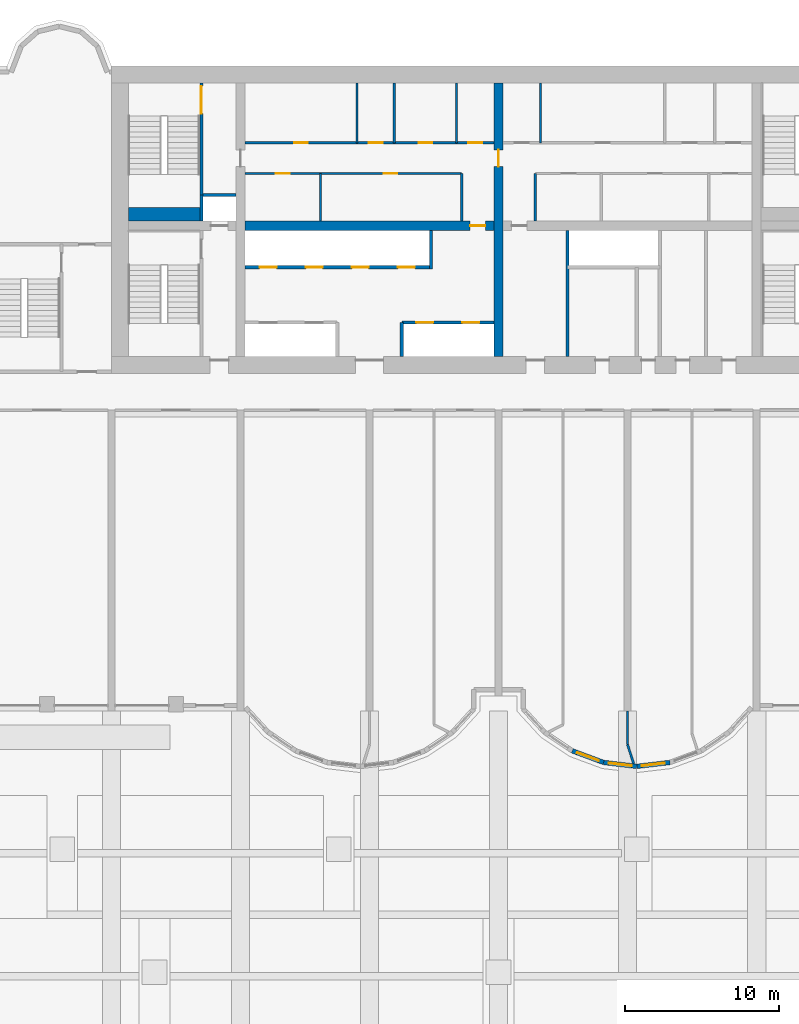
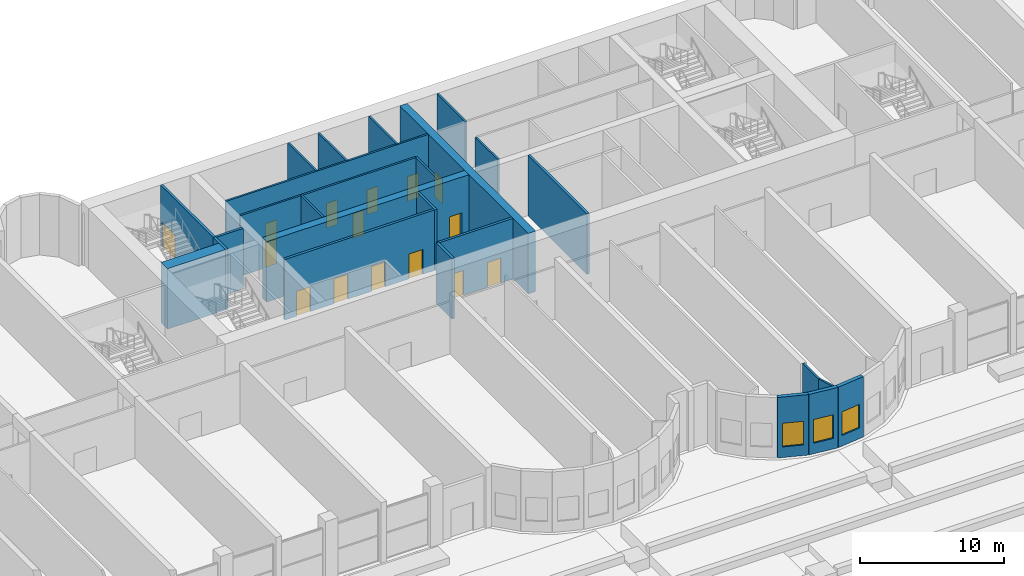
# One storey, part 11 of 20: 25 walls, 15 doors, 3 windows, 18 openings.
"""IFC4 building model written with IfcOpenShell, lengths in metres."""

from ifc_helpers import new_model, si_unit, direction, frame, frame_2d, origin, place, context, subcontext, project, spatial, rectangle, extrude, source, transform, mapped, material, layer, layer_set, type_object, element, fill, save


model = new_model("IFC4")

# Units and contexts
model_context = context("Model", 3, precision=1e-05, world=origin(), true_north=direction((0.0, 1.0)))
body_context = subcontext(model_context, "Body", "Model", "MODEL_VIEW")
ifc_project = project(units=[si_unit("LENGTHUNIT", "METRE"), si_unit("AREAUNIT", "SQUARE_METRE"), si_unit("VOLUMEUNIT", "CUBIC_METRE"), si_unit("PLANEANGLEUNIT", "RADIAN"), si_unit("MASSUNIT", "GRAM", prefix="KILO")], contexts=[model_context])

# Site, building, storey
site_placement = place(None, origin())
site = spatial("IfcSite", under=ifc_project, at=site_placement, CompositionType="ELEMENT")
building_placement = place(site_placement, origin())
building = spatial("IfcBuilding", under=site, at=building_placement, Name="Vanashikhar Sky Hotel", CompositionType="ELEMENT")
storey_placement = place(building_placement, frame((0.0, 0.0, 6.0)))
storey = spatial("IfcBuildingStorey", under=building, at=storey_placement, Name="L01", CompositionType="ELEMENT", Elevation=6.0)

# Wall, opening, door
ifc_material_1 = material(Name="Concrete M80", Category="concrete")
ifc_layer_1 = layer(ifc_material_1, 0.60009765625)
ifc_layer_set_1 = layer_set([ifc_layer_1], Name="RC core inner wall 600 Concrete M80")
wall_type_1 = type_object("IfcWallType", Name="RC core inner wall 600 Concrete M80", PredefinedType="SHEAR", material=ifc_layer_set_1)
shared_shape_1 = source(origin(), body_context, "Body", "SweptSolid", [
    extrude(rectangle(XDim=17.7998046875, YDim=0.60009765625, at=frame_2d((8.89990234375, 0.0))), origin(), (0.0, 0.0, 1.0), 5.1201171875),
])
wall_1_placement = place(storey_placement, frame((50.39990234375, 23.10009765625, 0.0), z_axis=(0.0, 0.0, 1.0), x_axis=(0.0, 1.0, 0.0)))
wall_1 = element("IfcWall", 1, at=wall_1_placement, inside=storey, type_object=wall_type_1, Name="KW-L01-KX2", PredefinedType="SHEAR", context=body_context, shape_type="MappedRepresentation", body=[
    mapped(shared_shape_1, transform((0.0, 0.0, 0.0), scale=1.0)),
])
shared_shape_2 = source(origin(), body_context, "Body", "SweptSolid", [
    extrude(rectangle(XDim=1.10009765625, YDim=2.10009765625, at=frame_2d((0.550048828125, 1.050048828125))), frame((0.0, 0.31005859375, 0.0), z_axis=(0.0, -1.0, 0.0), x_axis=(1.0, 0.0, 0.0)), (0.0, 0.0, 1.0), 0.6201171875),
])
opening_1_placement = place(wall_1_placement, frame((12.35009765625, 0.0, 0.0)))
opening_1 = element("IfcOpeningElement", 2, at=opening_1_placement, cuts=wall_1, Name="Opening DC-4-C", PredefinedType="OPENING", context=body_context, shape_type="MappedRepresentation", body=[
    mapped(shared_shape_2, transform((0.0, 0.0, 0.0), scale=1.0)),
])
ifc_material_2 = material(Name="Steel", Category="steel")
door_type_1 = type_object("IfcDoorType", Name="Service door 1100 FD60", OperationType="NOTDEFINED", PredefinedType="DOOR", material=ifc_material_2)
shared_shape_3 = source(origin(), body_context, "Body", "SweptSolid", [
    extrude(rectangle(XDim=1.10009765625, YDim=2.10009765625, at=frame_2d((0.550048828125, 1.050048828125))), frame((0.0, 0.02490234375, 0.0), z_axis=(0.0, -1.0, 0.0), x_axis=(1.0, 0.0, 0.0)), (0.0, 0.0, 1.0), 0.050048828125),
])
door_1_placement = place(opening_1_placement, origin())
door_1 = element("IfcDoor", 3, at=door_1_placement, inside=storey, type_object=door_type_1, Name="Service door 1100 FD60", OperationType="SINGLE_SWING_RIGHT", OverallHeight=2.10009765625, OverallWidth=1.10009765625, PredefinedType="DOOR", context=body_context, shape_type="MappedRepresentation", body=[
    mapped(shared_shape_3, transform((0.0, 0.0, 0.0), scale=1.0)),
])
fill(opening_1, door_1)

shared_shape_4 = source(origin(), body_context, "Body", "SweptSolid", [
    extrude(rectangle(XDim=16.2001953125, YDim=0.60009765625, at=frame_2d((8.10009765625, 0.0))), origin(), (0.0, 0.0, 1.0), 5.1201171875),
])
wall_2_placement = place(storey_placement, frame((33.89990234375, 31.60009765625, 0.0), z_axis=(0.0, 0.0, 1.0), x_axis=(1.0, 0.0, 0.0)))
wall_2 = element("IfcWall", 4, at=wall_2_placement, inside=storey, type_object=wall_type_1, Name="KW-L01-KY2", PredefinedType="SHEAR", context=body_context, shape_type="MappedRepresentation", body=[
    mapped(shared_shape_4, transform((0.0, 0.0, 0.0), scale=1.0)),
])
shared_shape_5 = source(origin(), body_context, "Body", "SweptSolid", [
    extrude(rectangle(XDim=1.0, YDim=2.10009765625, at=frame_2d((0.5, 1.050048828125))), frame((0.0, 0.31005859375, 0.0), z_axis=(0.0, -1.0, 0.0), x_axis=(1.0, 0.0, 0.0)), (0.0, 0.0, 1.0), 0.6201171875),
])
opening_2_placement = place(wall_2_placement, frame((14.64990234375, 0.0, 0.0)))
opening_2 = element("IfcOpeningElement", 5, at=opening_2_placement, cuts=wall_2, Name="Opening DC-4", PredefinedType="OPENING", context=body_context, shape_type="MappedRepresentation", body=[
    mapped(shared_shape_5, transform((0.0, 0.0, 0.0), scale=1.0)),
])
door_type_2 = type_object("IfcDoorType", Name="Service door 1000 FD60", OperationType="NOTDEFINED", PredefinedType="DOOR", material=ifc_material_2)
shared_shape_6 = source(origin(), body_context, "Body", "SweptSolid", [
    extrude(rectangle(XDim=1.0, YDim=2.10009765625, at=frame_2d((0.5, 1.050048828125))), frame((0.0, 0.02490234375, 0.0), z_axis=(0.0, -1.0, 0.0), x_axis=(1.0, 0.0, 0.0)), (0.0, 0.0, 1.0), 0.050048828125),
])
door_2_placement = place(opening_2_placement, origin())
door_2 = element("IfcDoor", 6, at=door_2_placement, inside=storey, type_object=door_type_2, Name="Service door 1000 FD60", OperationType="SINGLE_SWING_RIGHT", OverallHeight=2.10009765625, OverallWidth=1.0, PredefinedType="DOOR", context=body_context, shape_type="MappedRepresentation", body=[
    mapped(shared_shape_6, transform((0.0, 0.0, 0.0), scale=1.0)),
])
fill(opening_2, door_2)

# Wall, opening, window
ifc_material_3 = material(Name="Concrete M50", Category="concrete")
ifc_layer_2 = layer(ifc_material_3, 0.300048828125)
ifc_layer_set_2 = layer_set([ifc_layer_2], Name="Lobe wall 300")
wall_type_2 = type_object("IfcWallType", Name="Lobe wall 300", PredefinedType="SOLIDWALL", material=ifc_layer_set_2)
shared_shape_7 = source(origin(), body_context, "Body", "SweptSolid", [
    extrude(rectangle(XDim=2.17578125, YDim=0.300048828125, at=frame_2d((1.087890625, 0.0))), origin(), (0.0, 0.0, 1.0), 5.1201171875),
])
wall_3_placement = place(storey_placement, frame((55.20068359375, -2.58349609375, 0.0), z_axis=(0.0, 0.0, 1.0), x_axis=(0.93754555999, -0.347862505801, 0.0)))
wall_3 = element("IfcWall", 7, at=wall_3_placement, inside=storey, type_object=wall_type_2, Name="Lobe wall", PredefinedType="SOLIDWALL", context=body_context, shape_type="MappedRepresentation", body=[
    mapped(shared_shape_7, transform((0.0, 0.0, 0.0), scale=1.0)),
])
shared_shape_8 = source(origin(), body_context, "Body", "SweptSolid", [
    extrude(rectangle(XDim=1.5, YDim=2.0, at=frame_2d((0.75, 1.0))), frame((0.0, 0.16015625, 0.0), z_axis=(0.0, -1.0, 0.0), x_axis=(1.0, 0.0, 0.0)), (0.0, 0.0, 1.0), 0.320068359375),
])
opening_3_placement = place(wall_3_placement, frame((0.337890625, 0.0, 0.89990234375)))
opening_3 = element("IfcOpeningElement", 8, at=opening_3_placement, cuts=wall_3, Name="Opening WN-2", PredefinedType="OPENING", context=body_context, shape_type="MappedRepresentation", body=[
    mapped(shared_shape_8, transform((0.0, 0.0, 0.0), scale=1.0)),
])
ifc_material_4 = material(Name="Glass", Category="glass")
window_type = type_object("IfcWindowType", Name="Lobe window 1500 x 2000", PartitioningType="SINGLE_PANEL", PredefinedType="WINDOW", material=ifc_material_4)
shared_shape_9 = source(origin(), body_context, "Body", "SweptSolid", [
    extrude(rectangle(XDim=1.5, YDim=2.0, at=frame_2d((0.75, 1.0))), frame((0.0, 0.030029296875, 0.0), z_axis=(0.0, -1.0, 0.0), x_axis=(1.0, 0.0, 0.0)), (0.0, 0.0, 1.0), 0.06005859375),
])
window_1_placement = place(opening_3_placement, origin())
window_1 = element("IfcWindow", 9, at=window_1_placement, inside=storey, type_object=window_type, Name="Window WN-2", OverallHeight=2.0, OverallWidth=1.5, PartitioningType="SINGLE_PANEL", PredefinedType="WINDOW", context=body_context, shape_type="MappedRepresentation", body=[
    mapped(shared_shape_9, transform((0.0, 0.0, 0.0), scale=1.0)),
])
fill(opening_3, window_1)

shared_shape_10 = source(origin(), body_context, "Body", "SweptSolid", [
    extrude(rectangle(XDim=2.174560546875, YDim=0.300048828125, at=frame_2d((1.08740234375, 0.0))), origin(), (0.0, 0.0, 1.0), 5.1201171875),
])
wall_4_placement = place(storey_placement, frame((57.240478515625, -3.34033203125, 0.0), z_axis=(0.0, 0.0, 1.0), x_axis=(0.993001132889, -0.118104826659, 0.0)))
wall_4 = element("IfcWall", 10, at=wall_4_placement, inside=storey, type_object=wall_type_2, Name="Lobe wall", PredefinedType="SOLIDWALL", context=body_context, shape_type="MappedRepresentation", body=[
    mapped(shared_shape_10, transform((0.0, 0.0, 0.0), scale=1.0)),
])
opening_4_placement = place(wall_4_placement, frame((0.33740234375, 0.0, 0.89990234375)))
opening_4 = element("IfcOpeningElement", 11, at=opening_4_placement, cuts=wall_4, Name="Opening WN-2", PredefinedType="OPENING", context=body_context, shape_type="MappedRepresentation", body=[
    mapped(shared_shape_8, transform((0.0, 0.0, 0.0), scale=1.0)),
])
window_2_placement = place(opening_4_placement, origin())
window_2 = element("IfcWindow", 12, at=window_2_placement, inside=storey, type_object=window_type, Name="Window WN-2", OverallHeight=2.0, OverallWidth=1.5, PartitioningType="SINGLE_PANEL", PredefinedType="WINDOW", context=body_context, shape_type="MappedRepresentation", body=[
    mapped(shared_shape_9, transform((0.0, 0.0, 0.0), scale=1.0)),
])
fill(opening_4, window_2)

shared_shape_11 = source(origin(), body_context, "Body", "SweptSolid", [
    extrude(rectangle(XDim=2.1748046875, YDim=0.300048828125, at=frame_2d((1.08740234375, 0.0))), origin(), (0.0, 0.0, 1.0), 5.1201171875),
])
wall_5_placement = place(storey_placement, frame((59.39990234375, -3.59716796875, 0.0), z_axis=(0.0, 0.0, 1.0), x_axis=(0.993002698611, 0.118091661648, 0.0)))
wall_5 = element("IfcWall", 13, at=wall_5_placement, inside=storey, type_object=wall_type_2, Name="Lobe wall", PredefinedType="SOLIDWALL", context=body_context, shape_type="MappedRepresentation", body=[
    mapped(shared_shape_11, transform((0.0, 0.0, 0.0), scale=1.0)),
])
opening_5_placement = place(wall_5_placement, frame((0.33740234375, 0.0, 0.89990234375)))
opening_5 = element("IfcOpeningElement", 14, at=opening_5_placement, cuts=wall_5, Name="Opening WN-2", PredefinedType="OPENING", context=body_context, shape_type="MappedRepresentation", body=[
    mapped(shared_shape_8, transform((0.0, 0.0, 0.0), scale=1.0)),
])
window_3_placement = place(opening_5_placement, origin())
window_3 = element("IfcWindow", 15, at=window_3_placement, inside=storey, type_object=window_type, Name="Window WN-2", OverallHeight=2.0, OverallWidth=1.5, PartitioningType="SINGLE_PANEL", PredefinedType="WINDOW", context=body_context, shape_type="MappedRepresentation", body=[
    mapped(shared_shape_9, transform((0.0, 0.0, 0.0), scale=1.0)),
])
fill(opening_5, window_3)

# Wall, openings, doors
ifc_material_5 = material(Name="Concrete M40", Category="concrete")
ifc_layer_3 = layer(ifc_material_5, 0.199951171875)
ifc_layer_set_3 = layer_set([ifc_layer_3], Name="Shaft wall 200")
wall_type_3 = type_object("IfcWallType", Name="Shaft wall 200", PredefinedType="SOLIDWALL", material=ifc_layer_set_3)
shared_shape_12 = source(origin(), body_context, "Body", "SweptSolid", [
    extrude(rectangle(XDim=6.0, YDim=0.199951171875, at=frame_2d((3.0, 0.0))), origin(), (0.0, 0.0, 1.0), 5.1201171875),
])
wall_6_placement = place(storey_placement, frame((44.10009765625, 25.300048828125, 0.0), z_axis=(0.0, 0.0, 1.0), x_axis=(1.0, 0.0, 0.0)))
wall_6 = element("IfcWall", 16, at=wall_6_placement, inside=storey, type_object=wall_type_3, Name="Shaft wall 200", PredefinedType="SOLIDWALL", context=body_context, shape_type="MappedRepresentation", body=[
    mapped(shared_shape_12, transform((0.0, 0.0, 0.0), scale=1.0)),
])
shared_shape_13 = source(origin(), body_context, "Body", "SweptSolid", [
    extrude(rectangle(XDim=1.10009765625, YDim=2.10009765625, at=frame_2d((0.550048828125, 1.050048828125))), frame((0.0, 0.10986328125, 0.0), z_axis=(0.0, -1.0, 0.0), x_axis=(1.0, 0.0, 0.0)), (0.0, 0.0, 1.0), 0.219970703125),
])
opening_6_placement = place(wall_6_placement, frame((0.949951171875, 0.0, 0.0)))
opening_6 = element("IfcOpeningElement", 17, at=opening_6_placement, cuts=wall_6, Name="Opening LD", PredefinedType="OPENING", context=body_context, shape_type="MappedRepresentation", body=[
    mapped(shared_shape_13, transform((0.0, 0.0, 0.0), scale=1.0)),
])
opening_7_placement = place(wall_6_placement, frame((3.949951171875, 0.0, 0.0)))
opening_7 = element("IfcOpeningElement", 18, at=opening_7_placement, cuts=wall_6, Name="Opening LD", PredefinedType="OPENING", context=body_context, shape_type="MappedRepresentation", body=[
    mapped(shared_shape_13, transform((0.0, 0.0, 0.0), scale=1.0)),
])
ifc_material_6 = material(Name="Stainless steel", Category="steel")
door_type_3 = type_object("IfcDoorType", Name="Lift landing door 1100", OperationType="NOTDEFINED", PredefinedType="DOOR", material=ifc_material_6)
door_3_placement = place(opening_6_placement, origin())
door_3 = element("IfcDoor", 19, at=door_3_placement, inside=storey, type_object=door_type_3, Name="Lift landing door 1100", OperationType="SLIDING_TO_LEFT", OverallHeight=2.10009765625, OverallWidth=1.10009765625, PredefinedType="DOOR", context=body_context, shape_type="MappedRepresentation", body=[
    mapped(shared_shape_3, transform((0.0, 0.0, 0.0), scale=1.0)),
])
fill(opening_6, door_3)
door_4_placement = place(opening_7_placement, origin())
door_4 = element("IfcDoor", 20, at=door_4_placement, inside=storey, type_object=door_type_3, Name="Lift landing door 1100", OperationType="SLIDING_TO_RIGHT", OverallHeight=2.10009765625, OverallWidth=1.10009765625, PredefinedType="DOOR", context=body_context, shape_type="MappedRepresentation", body=[
    mapped(shared_shape_3, transform((0.0, 0.0, 0.0), scale=1.0)),
])
fill(opening_7, door_4)

shared_shape_14 = source(origin(), body_context, "Body", "SweptSolid", [
    extrude(rectangle(XDim=12.0, YDim=0.199951171875, at=frame_2d((6.0, 0.0))), origin(), (0.0, 0.0, 1.0), 5.1201171875),
])
wall_7_placement = place(storey_placement, frame((33.89990234375, 28.89990234375, 0.0), z_axis=(0.0, 0.0, 1.0), x_axis=(1.0, 0.0, 0.0)))
wall_7 = element("IfcWall", 21, at=wall_7_placement, inside=storey, type_object=wall_type_3, Name="Shaft wall 200", PredefinedType="SOLIDWALL", context=body_context, shape_type="MappedRepresentation", body=[
    mapped(shared_shape_14, transform((0.0, 0.0, 0.0), scale=1.0)),
])
opening_8_placement = place(wall_7_placement, frame((0.949951171875, 0.0, 0.0)))
opening_8 = element("IfcOpeningElement", 22, at=opening_8_placement, cuts=wall_7, Name="Opening LD", PredefinedType="OPENING", context=body_context, shape_type="MappedRepresentation", body=[
    mapped(shared_shape_13, transform((0.0, 0.0, 0.0), scale=1.0)),
])
opening_9_placement = place(wall_7_placement, frame((3.949951171875, 0.0, 0.0)))
opening_9 = element("IfcOpeningElement", 23, at=opening_9_placement, cuts=wall_7, Name="Opening LD", PredefinedType="OPENING", context=body_context, shape_type="MappedRepresentation", body=[
    mapped(shared_shape_13, transform((0.0, 0.0, 0.0), scale=1.0)),
])
opening_10_placement = place(wall_7_placement, frame((6.949951171875, 0.0, 0.0)))
opening_10 = element("IfcOpeningElement", 24, at=opening_10_placement, cuts=wall_7, Name="Opening LD", PredefinedType="OPENING", context=body_context, shape_type="MappedRepresentation", body=[
    mapped(shared_shape_13, transform((0.0, 0.0, 0.0), scale=1.0)),
])
opening_11_placement = place(wall_7_placement, frame((9.949951171875, 0.0, 0.0)))
opening_11 = element("IfcOpeningElement", 25, at=opening_11_placement, cuts=wall_7, Name="Opening LD", PredefinedType="OPENING", context=body_context, shape_type="MappedRepresentation", body=[
    mapped(shared_shape_13, transform((0.0, 0.0, 0.0), scale=1.0)),
])
door_5_placement = place(opening_8_placement, origin())
door_5 = element("IfcDoor", 26, at=door_5_placement, inside=storey, type_object=door_type_3, Name="Lift landing door 1100", OperationType="SLIDING_TO_LEFT", OverallHeight=2.10009765625, OverallWidth=1.10009765625, PredefinedType="DOOR", context=body_context, shape_type="MappedRepresentation", body=[
    mapped(shared_shape_3, transform((0.0, 0.0, 0.0), scale=1.0)),
])
fill(opening_8, door_5)
door_6_placement = place(opening_9_placement, origin())
door_6 = element("IfcDoor", 27, at=door_6_placement, inside=storey, type_object=door_type_3, Name="Lift landing door 1100", OperationType="SLIDING_TO_RIGHT", OverallHeight=2.10009765625, OverallWidth=1.10009765625, PredefinedType="DOOR", context=body_context, shape_type="MappedRepresentation", body=[
    mapped(shared_shape_3, transform((0.0, 0.0, 0.0), scale=1.0)),
])
fill(opening_9, door_6)
door_7_placement = place(opening_10_placement, origin())
door_7 = element("IfcDoor", 28, at=door_7_placement, inside=storey, type_object=door_type_3, Name="Lift landing door 1100", OperationType="SLIDING_TO_LEFT", OverallHeight=2.10009765625, OverallWidth=1.10009765625, PredefinedType="DOOR", context=body_context, shape_type="MappedRepresentation", body=[
    mapped(shared_shape_3, transform((0.0, 0.0, 0.0), scale=1.0)),
])
fill(opening_10, door_7)
door_8_placement = place(opening_11_placement, origin())
door_8 = element("IfcDoor", 29, at=door_8_placement, inside=storey, type_object=door_type_3, Name="Lift landing door 1100", OperationType="SLIDING_TO_RIGHT", OverallHeight=2.10009765625, OverallWidth=1.10009765625, PredefinedType="DOOR", context=body_context, shape_type="MappedRepresentation", body=[
    mapped(shared_shape_3, transform((0.0, 0.0, 0.0), scale=1.0)),
])
fill(opening_11, door_8)

# Walls
shared_shape_15 = source(origin(), body_context, "Body", "SweptSolid", [
    extrude(rectangle(XDim=2.199951171875, YDim=0.199951171875, at=frame_2d((1.10009765625, 0.0))), origin(), (0.0, 0.0, 1.0), 5.1201171875),
])
wall_8_placement = place(storey_placement, frame((44.10009765625, 23.10009765625, 0.0), z_axis=(0.0, 0.0, 1.0), x_axis=(0.0, 1.0, 0.0)))
element("IfcWall", 30, at=wall_8_placement, inside=storey, type_object=wall_type_3, Name="Shaft wall 200", PredefinedType="SOLIDWALL", context=body_context, shape_type="MappedRepresentation", body=[
    mapped(shared_shape_15, transform((0.0, 0.0, 0.0), scale=1.0)),
])
shared_shape_16 = source(origin(), body_context, "Body", "SweptSolid", [
    extrude(rectangle(XDim=2.5, YDim=0.199951171875, at=frame_2d((1.25, 0.0))), origin(), (0.0, 0.0, 1.0), 5.1201171875),
])
wall_9_placement = place(storey_placement, frame((46.0, 28.800048828125, 0.0), z_axis=(0.0, 0.0, 1.0), x_axis=(0.0, 1.0, 0.0)))
element("IfcWall", 31, at=wall_9_placement, inside=storey, type_object=wall_type_3, Name="Shaft wall 200", PredefinedType="SOLIDWALL", context=body_context, shape_type="MappedRepresentation", body=[
    mapped(shared_shape_16, transform((0.0, 0.0, 0.0), scale=1.0)),
])
ifc_material_7 = material(Name="Gypsum board partition")
ifc_layer_4 = layer(ifc_material_7, 0.14990234375)
ifc_layer_set_4 = layer_set([ifc_layer_4], Name="Service partition 150")
wall_type_4 = type_object("IfcWallType", Name="Service partition 150", PredefinedType="PARTITIONING", material=ifc_layer_set_4)
shared_shape_17 = source(origin(), body_context, "Body", "SweptSolid", [
    extrude(rectangle(XDim=3.10009765625, YDim=0.14990234375, at=frame_2d((1.550048828125, 0.0))), origin(), (0.0, 0.0, 1.0), 5.1201171875),
])
for number, where, z_axis, x_axis, name in (
    (32, (48.0, 31.89990234375, 0.0), (0.0, 0.0, 1.0), (0.0, 1.0, 0.0), "Service partition 150"),
    (33, (38.80908203125, 31.89990234375, 0.0), (0.0, 0.0, 1.0), (0.0, 1.0, 0.0), "Service partition 150"),
    (34, (52.800048828125, 31.89990234375, 0.0), (0.0, 0.0, 1.0), (0.0, 1.0, 0.0), "Service partition 150"),
):
    element("IfcWall", number, at=place(storey_placement, frame(where, z_axis=z_axis, x_axis=x_axis)), inside=storey, type_object=wall_type_4, Name=name, PredefinedType="PARTITIONING", context=body_context, shape_type="MappedRepresentation", body=[
        mapped(shared_shape_17, transform((0.0, 0.0, 0.0), scale=1.0)),
    ])

# Wall, openings, doors
shared_shape_18 = source(origin(), body_context, "Body", "SweptSolid", [
    extrude(rectangle(XDim=14.10009765625, YDim=0.14990234375, at=frame_2d((7.050048828125, 0.0))), origin(), (0.0, 0.0, 1.0), 5.1201171875),
])
wall_10_placement = place(storey_placement, frame((33.89990234375, 35.0, 0.0), z_axis=(0.0, 0.0, 1.0), x_axis=(1.0, 0.0, 0.0)))
wall_10 = element("IfcWall", 35, at=wall_10_placement, inside=storey, type_object=wall_type_4, Name="Service partition 150", PredefinedType="PARTITIONING", context=body_context, shape_type="MappedRepresentation", body=[
    mapped(shared_shape_18, transform((0.0, 0.0, 0.0), scale=1.0)),
])
shared_shape_19 = source(origin(), body_context, "Body", "SweptSolid", [
    extrude(rectangle(XDim=0.89990234375, YDim=2.10009765625, at=frame_2d((0.449951171875, 1.050048828125))), frame((0.0, 0.0849609375, 0.0), z_axis=(0.0, -1.0, 0.0), x_axis=(1.0, 0.0, 0.0)), (0.0, 0.0, 1.0), 0.169921875),
])
opening_12_placement = place(wall_10_placement, frame((2.00390625, 0.0, 0.0)))
opening_12 = element("IfcOpeningElement", 36, at=opening_12_placement, cuts=wall_10, Name="Opening DC-4-A", PredefinedType="OPENING", context=body_context, shape_type="MappedRepresentation", body=[
    mapped(shared_shape_19, transform((0.0, 0.0, 0.0), scale=1.0)),
])
opening_13_placement = place(wall_10_placement, frame((9.01708984375, 0.0, 0.0)))
opening_13 = element("IfcOpeningElement", 37, at=opening_13_placement, cuts=wall_10, Name="Opening DC-4-A", PredefinedType="OPENING", context=body_context, shape_type="MappedRepresentation", body=[
    mapped(shared_shape_19, transform((0.0, 0.0, 0.0), scale=1.0)),
])
door_type_4 = type_object("IfcDoorType", Name="Service door 900 FD60", OperationType="NOTDEFINED", PredefinedType="DOOR", material=ifc_material_2)
shared_shape_20 = source(origin(), body_context, "Body", "SweptSolid", [
    extrude(rectangle(XDim=0.89990234375, YDim=2.10009765625, at=frame_2d((0.449951171875, 1.050048828125))), frame((0.0, 0.02490234375, 0.0), z_axis=(0.0, -1.0, 0.0), x_axis=(1.0, 0.0, 0.0)), (0.0, 0.0, 1.0), 0.050048828125),
])
door_9_placement = place(opening_12_placement, origin())
door_9 = element("IfcDoor", 38, at=door_9_placement, inside=storey, type_object=door_type_4, Name="Service door 900 FD60", OperationType="SINGLE_SWING_LEFT", OverallHeight=2.10009765625, OverallWidth=0.89990234375, PredefinedType="DOOR", context=body_context, shape_type="MappedRepresentation", body=[
    mapped(shared_shape_20, transform((0.0, 0.0, 0.0), scale=1.0)),
])
fill(opening_12, door_9)
door_10_placement = place(opening_13_placement, origin())
door_10 = element("IfcDoor", 39, at=door_10_placement, inside=storey, type_object=door_type_4, Name="Service door 900 FD60", OperationType="SINGLE_SWING_RIGHT", OverallHeight=2.10009765625, OverallWidth=0.89990234375, PredefinedType="DOOR", context=body_context, shape_type="MappedRepresentation", body=[
    mapped(shared_shape_20, transform((0.0, 0.0, 0.0), scale=1.0)),
])
fill(opening_13, door_10)

shared_shape_21 = source(origin(), body_context, "Body", "SweptSolid", [
    extrude(rectangle(XDim=16.2001953125, YDim=0.14990234375, at=frame_2d((8.10009765625, 0.0))), origin(), (0.0, 0.0, 1.0), 5.1201171875),
])
wall_11_placement = place(storey_placement, frame((33.89990234375, 37.0, 0.0), z_axis=(0.0, 0.0, 1.0), x_axis=(1.0, 0.0, 0.0)))
wall_11 = element("IfcWall", 40, at=wall_11_placement, inside=storey, type_object=wall_type_4, Name="Service partition 150", PredefinedType="PARTITIONING", context=body_context, shape_type="MappedRepresentation", body=[
    mapped(shared_shape_21, transform((0.0, 0.0, 0.0), scale=1.0)),
])
opening_14_placement = place(wall_11_placement, frame((3.195068359375, 0.0, 0.0)))
opening_14 = element("IfcOpeningElement", 41, at=opening_14_placement, cuts=wall_11, Name="Opening DC-4-A", PredefinedType="OPENING", context=body_context, shape_type="MappedRepresentation", body=[
    mapped(shared_shape_19, transform((0.0, 0.0, 0.0), scale=1.0)),
])
opening_15_placement = place(wall_11_placement, frame((8.054931640625, 0.0, 0.0)))
opening_15 = element("IfcOpeningElement", 42, at=opening_15_placement, cuts=wall_11, Name="Opening DC-4-A", PredefinedType="OPENING", context=body_context, shape_type="MappedRepresentation", body=[
    mapped(shared_shape_19, transform((0.0, 0.0, 0.0), scale=1.0)),
])
opening_16_placement = place(wall_11_placement, frame((11.294921875, 0.0, 0.0)))
opening_16 = element("IfcOpeningElement", 43, at=opening_16_placement, cuts=wall_11, Name="Opening DC-4-A", PredefinedType="OPENING", context=body_context, shape_type="MappedRepresentation", body=[
    mapped(shared_shape_19, transform((0.0, 0.0, 0.0), scale=1.0)),
])
opening_17_placement = place(wall_11_placement, frame((14.534912109375, 0.0, 0.0)))
opening_17 = element("IfcOpeningElement", 44, at=opening_17_placement, cuts=wall_11, Name="Opening DC-4-A", PredefinedType="OPENING", context=body_context, shape_type="MappedRepresentation", body=[
    mapped(shared_shape_19, transform((0.0, 0.0, 0.0), scale=1.0)),
])
door_11_placement = place(opening_14_placement, origin())
door_11 = element("IfcDoor", 45, at=door_11_placement, inside=storey, type_object=door_type_4, Name="Service door 900 FD60", OperationType="SINGLE_SWING_RIGHT", OverallHeight=2.10009765625, OverallWidth=0.89990234375, PredefinedType="DOOR", context=body_context, shape_type="MappedRepresentation", body=[
    mapped(shared_shape_20, transform((0.0, 0.0, 0.0), scale=1.0)),
])
fill(opening_14, door_11)
door_12_placement = place(opening_15_placement, origin())
door_12 = element("IfcDoor", 46, at=door_12_placement, inside=storey, type_object=door_type_4, Name="Service door 900 FD60", OperationType="SINGLE_SWING_RIGHT", OverallHeight=2.10009765625, OverallWidth=0.89990234375, PredefinedType="DOOR", context=body_context, shape_type="MappedRepresentation", body=[
    mapped(shared_shape_20, transform((0.0, 0.0, 0.0), scale=1.0)),
])
fill(opening_15, door_12)
door_13_placement = place(opening_16_placement, origin())
door_13 = element("IfcDoor", 47, at=door_13_placement, inside=storey, type_object=door_type_4, Name="Service door 900 FD60", OperationType="SINGLE_SWING_LEFT", OverallHeight=2.10009765625, OverallWidth=0.89990234375, PredefinedType="DOOR", context=body_context, shape_type="MappedRepresentation", body=[
    mapped(shared_shape_20, transform((0.0, 0.0, 0.0), scale=1.0)),
])
fill(opening_16, door_13)
door_14_placement = place(opening_17_placement, origin())
door_14 = element("IfcDoor", 48, at=door_14_placement, inside=storey, type_object=door_type_4, Name="Service door 900 FD60", OperationType="SINGLE_SWING_LEFT", OverallHeight=2.10009765625, OverallWidth=0.89990234375, PredefinedType="DOOR", context=body_context, shape_type="MappedRepresentation", body=[
    mapped(shared_shape_20, transform((0.0, 0.0, 0.0), scale=1.0)),
])
fill(opening_17, door_14)

# Walls
shared_shape_22 = source(origin(), body_context, "Body", "SweptSolid", [
    extrude(rectangle(XDim=3.89990234375, YDim=0.14990234375, at=frame_2d((1.949951171875, 0.0))), origin(), (0.0, 0.0, 1.0), 5.1201171875),
])
for number, where, z_axis, x_axis, name in (
    (49, (41.18994140625, 37.0, 0.0), (0.0, 0.0, 1.0), (0.0, 1.0, 0.0), "Service partition 150"),
    (50, (43.6201171875, 37.0, 0.0), (0.0, 0.0, 1.0), (0.0, 1.0, 0.0), "Service partition 150"),
    (51, (47.669921875, 37.0, 0.0), (0.0, 0.0, 1.0), (0.0, 1.0, 0.0), "Service partition 150"),
    (52, (53.1298828125, 37.0, 0.0), (0.0, 0.0, 1.0), (0.0, 1.0, 0.0), "Service partition 150"),
):
    element("IfcWall", number, at=place(storey_placement, frame(where, z_axis=z_axis, x_axis=x_axis)), inside=storey, type_object=wall_type_4, Name=name, PredefinedType="PARTITIONING", context=body_context, shape_type="MappedRepresentation", body=[
        mapped(shared_shape_22, transform((0.0, 0.0, 0.0), scale=1.0)),
    ])
shared_shape_23 = source(origin(), body_context, "Body", "SweptSolid", [
    extrude(rectangle(XDim=8.199951171875, YDim=0.199951171875, at=frame_2d((4.10009765625, 0.0))), origin(), (0.0, 0.0, 1.0), 5.1201171875),
])
wall_12_placement = place(storey_placement, frame((54.89990234375, 23.10009765625, 0.0), z_axis=(0.0, 0.0, 1.0), x_axis=(0.0, 1.0, 0.0)))
element("IfcWall", 53, at=wall_12_placement, inside=storey, type_object=wall_type_4, Name="Service partition 150", PredefinedType="PARTITIONING", context=body_context, shape_type="MappedRepresentation", body=[
    mapped(shared_shape_23, transform((0.0, 0.0, 0.0), scale=1.0)),
])
shared_shape_24 = source(origin(), body_context, "Body", "SweptSolid", [
    extrude(rectangle(XDim=1.7001953125, YDim=0.199951171875, at=frame_2d((0.85009765625, 0.0))), origin(), (0.0, 0.0, 1.0), 5.1201171875),
])
wall_13_placement = place(storey_placement, frame((31.050048828125, 31.89990234375, 0.0), z_axis=(0.0, 0.0, 1.0), x_axis=(0.0, 1.0, 0.0)))
element("IfcWall", 54, at=wall_13_placement, inside=storey, type_object=wall_type_3, Name="Shaft wall 200", PredefinedType="SOLIDWALL", context=body_context, shape_type="MappedRepresentation", body=[
    mapped(shared_shape_24, transform((0.0, 0.0, 0.0), scale=1.0)),
])
shared_shape_25 = source(origin(), body_context, "Body", "SweptSolid", [
    extrude(rectangle(XDim=2.150146484375, YDim=0.199951171875, at=frame_2d((1.0751953125, 0.0))), origin(), (0.0, 0.0, 1.0), 5.1201171875),
])
wall_14_placement = place(storey_placement, frame((31.14990234375, 33.60009765625, 0.0), z_axis=(0.0, 0.0, 1.0), x_axis=(1.0, 0.0, 0.0)))
element("IfcWall", 55, at=wall_14_placement, inside=storey, type_object=wall_type_3, Name="Shaft wall 200", PredefinedType="SOLIDWALL", context=body_context, shape_type="MappedRepresentation", body=[
    mapped(shared_shape_25, transform((0.0, 0.0, 0.0), scale=1.0)),
])

# Wall, opening, door
ifc_layer_5 = layer(ifc_material_3, 0.199951171875)
ifc_layer_set_5 = layer_set([ifc_layer_5], Name="Stair wall 200")
wall_type_5 = type_object("IfcWallType", Name="Stair wall 200", PredefinedType="SOLIDWALL", material=ifc_layer_set_5)
shared_shape_26 = source(origin(), body_context, "Body", "SweptSolid", [
    extrude(rectangle(XDim=7.2998046875, YDim=0.199951171875, at=frame_2d((3.64990234375, 0.0))), origin(), (0.0, 0.0, 1.0), 5.1201171875),
])
wall_15_placement = place(storey_placement, frame((31.050048828125, 33.60009765625, 0.0), z_axis=(0.0, 0.0, 1.0), x_axis=(0.0, 1.0, 0.0)))
wall_15 = element("IfcWall", 56, at=wall_15_placement, inside=storey, type_object=wall_type_5, Name="Stair wall 200", PredefinedType="SOLIDWALL", context=body_context, shape_type="MappedRepresentation", body=[
    mapped(shared_shape_26, transform((0.0, 0.0, 0.0), scale=1.0)),
])
shared_shape_27 = source(origin(), body_context, "Body", "SweptSolid", [
    extrude(rectangle(XDim=1.800048828125, YDim=2.10009765625, at=frame_2d((0.89990234375, 1.050048828125))), frame((0.0, 0.10986328125, 0.0), z_axis=(0.0, -1.0, 0.0), x_axis=(1.0, 0.0, 0.0)), (0.0, 0.0, 1.0), 0.219970703125),
])
opening_18_placement = place(wall_15_placement, frame((5.300048828125, 0.0, 0.0)))
opening_18 = element("IfcOpeningElement", 57, at=opening_18_placement, cuts=wall_15, Name="Opening DC-1-A", PredefinedType="OPENING", context=body_context, shape_type="MappedRepresentation", body=[
    mapped(shared_shape_27, transform((0.0, 0.0, 0.0), scale=1.0)),
])
door_type_5 = type_object("IfcDoorType", Name="Stair door 1800 FD120", OperationType="NOTDEFINED", PredefinedType="DOOR", material=ifc_material_2)
shared_shape_28 = source(origin(), body_context, "Body", "SweptSolid", [
    extrude(rectangle(XDim=1.800048828125, YDim=2.10009765625, at=frame_2d((0.89990234375, 1.050048828125))), frame((0.0, 0.02490234375, 0.0), z_axis=(0.0, -1.0, 0.0), x_axis=(1.0, 0.0, 0.0)), (0.0, 0.0, 1.0), 0.050048828125),
])
door_15_placement = place(opening_18_placement, origin())
door_15 = element("IfcDoor", 58, at=door_15_placement, inside=storey, type_object=door_type_5, Name="Stair door 1800 FD120", OperationType="SINGLE_SWING_LEFT", OverallHeight=2.10009765625, OverallWidth=1.800048828125, PredefinedType="DOOR", context=body_context, shape_type="MappedRepresentation", body=[
    mapped(shared_shape_28, transform((0.0, 0.0, 0.0), scale=1.0)),
])
fill(opening_18, door_15)

# Walls
ifc_layer_6 = layer(ifc_material_3, 0.89990234375)
ifc_layer_set_6 = layer_set([ifc_layer_6], Name="Stair infill wall 900")
wall_type_6 = type_object("IfcWallType", Name="Stair infill wall 900", PredefinedType="SOLIDWALL", material=ifc_layer_set_6)
shared_shape_29 = source(origin(), body_context, "Body", "SweptSolid", [
    extrude(rectangle(XDim=4.64990234375, YDim=0.89990234375, at=frame_2d((2.324951171875, 0.0))), origin(), (0.0, 0.0, 1.0), 5.1201171875),
])
wall_16_placement = place(storey_placement, frame((26.300048828125, 32.35009765625, 0.0), z_axis=(0.0, 0.0, 1.0), x_axis=(1.0, 0.0, 0.0)))
element("IfcWall", 59, at=wall_16_placement, inside=storey, type_object=wall_type_6, Name="Stair infill wall 900", PredefinedType="SOLIDWALL", context=body_context, shape_type="MappedRepresentation", body=[
    mapped(shared_shape_29, transform((0.0, 0.0, 0.0), scale=1.0)),
])
ifc_material_8 = material(Name="Gypsum plasterboard partition")
ifc_layer_7 = layer(ifc_material_8, 0.14990234375)
ifc_layer_set_7 = layer_set([ifc_layer_7], Name="Corridor and demising partition 150")
wall_type_7 = type_object("IfcWallType", Name="Corridor and demising partition 150", PredefinedType="PARTITIONING", material=ifc_layer_set_7)
shared_shape_30 = source(origin(), body_context, "Body", "SweptSolid", [
    extrude(rectangle(XDim=2.177978515625, YDim=0.14990234375, at=frame_2d((1.0888671875, 0.0))), origin(), (0.0, 0.0, 1.0), 5.1201171875),
])
wall_17_placement = place(storey_placement, frame((58.800048828125, -2.177978515625, 0.0), z_axis=(0.0, 0.0, 1.0), x_axis=(0.0, 1.0, 0.0)))
element("IfcWall", 60, at=wall_17_placement, inside=storey, type_object=wall_type_7, Name="W-L01-PW024", PredefinedType="PARTITIONING", context=body_context, shape_type="MappedRepresentation", body=[
    mapped(shared_shape_30, transform((0.0, 0.0, 0.0), scale=1.0)),
])
shared_shape_31 = source(origin(), body_context, "Body", "SweptSolid", [
    extrude(rectangle(XDim=1.308349609375, YDim=0.14990234375, at=frame_2d((0.654296875, 0.0))), origin(), (0.0, 0.0, 1.0), 5.1201171875),
])
wall_18_placement = place(storey_placement, frame((59.201904296875, -3.423095703125, 0.0), z_axis=(0.0, 0.0, 1.0), x_axis=(-0.307144529633, 0.951662880392, 0.0)))
element("IfcWall", 61, at=wall_18_placement, inside=storey, type_object=wall_type_7, Name="W-L01-PW024B0", PredefinedType="PARTITIONING", context=body_context, shape_type="MappedRepresentation", body=[
    mapped(shared_shape_31, transform((0.0, 0.0, 0.0), scale=1.0)),
])

save(model, "model.ifc")
